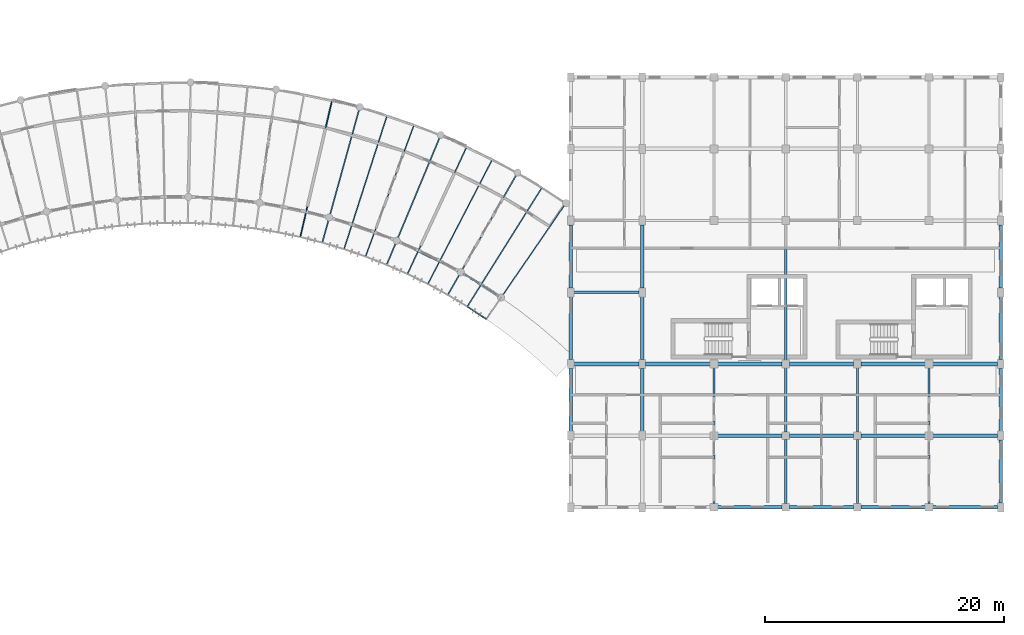
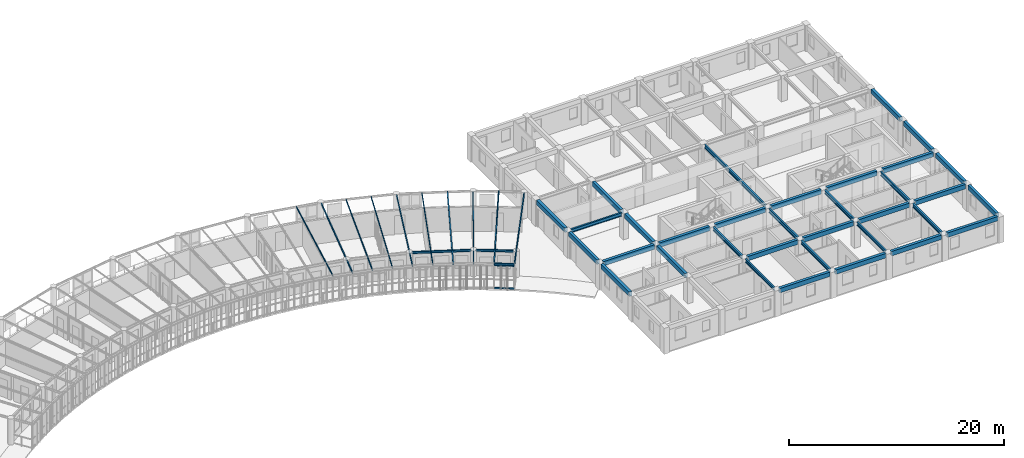
# One storey, part 39 of 100: 47 beams, 2 members.
"""IFC4 building model written with IfcOpenShell, lengths in metres."""

from ifc_helpers import new_model, si_unit, direction, frame, origin, origin_2d, place, context, subcontext, project, spatial, rectangle, hollow_rectangle, i_section, extrude, material, material_profile, profile_set, type_object, element, save


model = new_model("IFC4")

# Units and contexts
model_context = context("Model", 3, precision=1e-05, world=origin(), true_north=direction((0.0, 1.0)))
body_context = subcontext(model_context, "Body", "Model", "MODEL_VIEW")
ifc_project = project(units=[si_unit("LENGTHUNIT", "METRE"), si_unit("AREAUNIT", "SQUARE_METRE"), si_unit("VOLUMEUNIT", "CUBIC_METRE"), si_unit("PLANEANGLEUNIT", "RADIAN"), si_unit("MASSUNIT", "GRAM", prefix="KILO"), si_unit("POWERUNIT", "WATT"), si_unit("THERMODYNAMICTEMPERATUREUNIT", "KELVIN")], contexts=[model_context])

# Site, building, storey
site_placement = place(None, origin())
site = spatial("IfcSite", under=ifc_project, at=site_placement, CompositionType="ELEMENT")
building_placement = place(site_placement, origin())
building = spatial("IfcBuilding", under=site, at=building_placement, Name="Ruvembo Vaulted Housing Court", CompositionType="ELEMENT")
storey_placement = place(building_placement, frame((0.0, 0.0, 14.10009765625)))
storey = spatial("IfcBuildingStorey", under=building, at=storey_placement, Name="L04", CompositionType="ELEMENT", Elevation=14.10009765625)

# Beams
ifc_material_1 = material(Name="Steel S355J2", Category="steel")
ifc_material_profile_1 = material_profile(ifc_material_1, i_section(OverallWidth=0.08203125, OverallDepth=0.159912109375, WebThickness=0.0048828125, FlangeThickness=0.00732421875, FilletRadius=0.009033203125, at=origin_2d()), Name="IPE 160")
ifc_profile_set_1 = profile_set([ifc_material_profile_1], Name="Steel S355J2")
beam_type_1 = type_object("IfcBeamType", Name="BM-ST-IPE160", PredefinedType="JOIST", material=ifc_profile_set_1)
for number, where, z_axis, x_axis, name in (
    (1, (130.002685546875, 105.9599609375, 2.85986328125), (-0.226331039465, -0.974050440467, 0.0), (0.974050440467, -0.226331039465, 0.0), "Scoop SC3 L04 Radial Steel Joist 20"),
    (2, (136.852783203125, 103.91162109375, 2.85986328125), (-0.345551481909, -0.938399793985, 0.0), (0.938399793985, -0.345551481909, 0.0), "Scoop SC3 L04 Radial Steel Joist 23"),
):
    element("IfcBeam", number, at=place(storey_placement, frame(where, z_axis=z_axis, x_axis=x_axis)), inside=storey, type_object=beam_type_1, Name=name, PredefinedType="JOIST", context=body_context, shape_type="SweptSolid", body=[
        extrude(i_section(OverallWidth=0.08203125, OverallDepth=0.159912109375, WebThickness=0.0048828125, FlangeThickness=0.00732421875, FilletRadius=0.009033203125, at=origin_2d()), origin(), (0.0, 0.0, 1.0), 11.69091796875),
    ])
beam_1_placement = place(storey_placement, frame((143.3955078125, 101.028076171875, 2.85986328125), z_axis=(-0.459450756353, -0.888203243907, 0.0), x_axis=(0.888203243907, -0.459450756353, 0.0)))
element("IfcBeam", 3, at=beam_1_placement, inside=storey, type_object=beam_type_1, Name="Scoop SC3 L04 Radial Steel Joist 26", PredefinedType="JOIST", context=body_context, shape_type="SweptSolid", body=[
    extrude(i_section(OverallWidth=0.08203125, OverallDepth=0.159912109375, WebThickness=0.0048828125, FlangeThickness=0.00732421875, FilletRadius=0.009033203125, at=origin_2d()), origin(), (0.0, 0.0, 1.0), 11.690673828125),
])
beam_2_placement = place(storey_placement, frame((149.506103515625, 97.32080078125, 2.85986328125), z_axis=(-0.566195255681, -0.824271152258, 0.0), x_axis=(0.824271152258, -0.566195255681, 0.0)))
element("IfcBeam", 4, at=beam_2_placement, inside=storey, type_object=beam_type_1, Name="Scoop SC3 L04 Radial Steel Joist 29", PredefinedType="JOIST", context=body_context, shape_type="SweptSolid", body=[
    extrude(i_section(OverallWidth=0.08203125, OverallDepth=0.159912109375, WebThickness=0.0048828125, FlangeThickness=0.00732421875, FilletRadius=0.009033203125, at=origin_2d()), origin(), (0.0, 0.0, 1.0), 11.650146484375),
])
ifc_material_profile_2 = material_profile(ifc_material_1, i_section(OverallWidth=0.091064453125, OverallDepth=0.179931640625, WebThickness=0.00537109375, FlangeThickness=0.008056640625, FilletRadius=0.009033203125, at=origin_2d()), Name="IPE 180")
ifc_profile_set_2 = profile_set([ifc_material_profile_2], Name="Steel S355J2")
beam_type_2 = type_object("IfcBeamType", Name="BM-ST-IPE180", PredefinedType="JOIST", material=ifc_profile_set_2)
beam_3_placement = place(storey_placement, frame((134.5986328125, 104.68896484375, 2.849853515625), z_axis=(-0.306337017889, -0.951923122669, 0.0), x_axis=(0.951923122669, -0.306337017889, 0.0)))
element("IfcBeam", 5, at=beam_3_placement, inside=storey, type_object=beam_type_2, Name="Scoop SC3 L04 Radial Steel Joist 22", PredefinedType="JOIST", context=body_context, shape_type="SweptSolid", body=[
    extrude(i_section(OverallWidth=0.091064453125, OverallDepth=0.179931640625, WebThickness=0.00537109375, FlangeThickness=0.008056640625, FilletRadius=0.009033203125, at=origin_2d()), origin(), (0.0, 0.0, 1.0), 11.690673828125),
])
beam_4_placement = place(storey_placement, frame((141.255126953125, 102.07958984375, 2.849853515625), z_axis=(-0.422190259357, -0.906507244816, 0.0), x_axis=(0.906507244816, -0.422190259357, 0.0)))
element("IfcBeam", 6, at=beam_4_placement, inside=storey, type_object=beam_type_2, Name="Scoop SC3 L04 Radial Steel Joist 25", PredefinedType="JOIST", context=body_context, shape_type="SweptSolid", body=[
    extrude(i_section(OverallWidth=0.091064453125, OverallDepth=0.179931640625, WebThickness=0.00537109375, FlangeThickness=0.008056640625, FilletRadius=0.009033203125, at=origin_2d()), origin(), (0.0, 0.0, 1.0), 11.69091796875),
])
beam_5_placement = place(storey_placement, frame((147.5625, 98.70556640625, 2.849853515625), z_axis=(-0.531512135198, -0.847050677432, 0.0), x_axis=(0.847050677432, -0.531512135198, 0.0)))
element("IfcBeam", 7, at=beam_5_placement, inside=storey, type_object=beam_type_2, Name="Scoop SC3 L04 Radial Steel Joist 28", PredefinedType="JOIST", context=body_context, shape_type="SweptSolid", body=[
    extrude(i_section(OverallWidth=0.091064453125, OverallDepth=0.179931640625, WebThickness=0.00537109375, FlangeThickness=0.008056640625, FilletRadius=0.009033203125, at=origin_2d()), origin(), (0.0, 0.0, 1.0), 11.740478515625),
])
ifc_material_profile_3 = material_profile(ifc_material_1, i_section(OverallWidth=0.10009765625, OverallDepth=0.199951171875, WebThickness=0.005615234375, FlangeThickness=0.008544921875, FilletRadius=0.011962890625, at=origin_2d()), Name="IPE 200")
ifc_profile_set_3 = profile_set([ifc_material_profile_3], Name="Steel S355J2")
beam_type_3 = type_object("IfcBeamType", Name="BM-ST-IPE200", PredefinedType="BEAM", material=ifc_profile_set_3)
beam_6_placement = place(storey_placement, frame((132.302978515625, 105.3330078125, 2.83984375), z_axis=(-0.266557475959, -0.963819024512, 0.0), x_axis=(0.963819024512, -0.266557475959, 0.0)))
element("IfcBeam", 8, at=beam_6_placement, inside=storey, type_object=beam_type_3, Name="Scoop SC3 L04 Radial Steel Joist 21", PredefinedType="BEAM", context=body_context, shape_type="SweptSolid", body=[
    extrude(i_section(OverallWidth=0.10009765625, OverallDepth=0.199951171875, WebThickness=0.005615234375, FlangeThickness=0.008544921875, FilletRadius=0.011962890625, at=origin_2d()), origin(), (0.0, 0.0, 1.0), 11.650390625),
])
for number, where, z_axis, x_axis, name in (
    (9, (139.057373046875, 103.003662109375, 2.83984375), (-0.384210608163, -0.923245475795, 0.0), (0.923245475795, -0.384210608163, 0.0), "Scoop SC3 L04 Radial Steel Joist 24"),
    (10, (145.47021484375, 99.853515625, 2.83984375), (-0.495904212353, -0.868377229187, 0.0), (0.868377229187, -0.495904212353, 0.0), "Scoop SC3 L04 Radial Steel Joist 27"),
):
    element("IfcBeam", number, at=place(storey_placement, frame(where, z_axis=z_axis, x_axis=x_axis)), inside=storey, type_object=beam_type_3, Name=name, PredefinedType="BEAM", context=body_context, shape_type="SweptSolid", body=[
        extrude(i_section(OverallWidth=0.10009765625, OverallDepth=0.199951171875, WebThickness=0.005615234375, FlangeThickness=0.008544921875, FilletRadius=0.011962890625, at=origin_2d()), origin(), (0.0, 0.0, 1.0), 11.650146484375),
    ])
ifc_material_profile_4 = material_profile(ifc_material_1, i_section(OverallWidth=0.1201171875, OverallDepth=0.239990234375, WebThickness=0.006103515625, FlangeThickness=0.009765625, FilletRadius=0.014892578125, at=origin_2d()), Name="IPE 240")
ifc_profile_set_4 = profile_set([ifc_material_profile_4], Name="Steel S355J2")
beam_type_4 = type_object("IfcBeamType", Name="BM-ST-IPE240", PredefinedType="BEAM", material=ifc_profile_set_4)
beam_7_placement = place(storey_placement, frame((135.612548828125, 94.23193359375, 2.822021484375), z_axis=(0.897564932288, -0.440882288516, 0.0), x_axis=(0.440882288516, 0.897564932288, 0.0)))
element("IfcBeam", 11, at=beam_7_placement, inside=storey, type_object=beam_type_4, Name="Scoop SC3 L04 Chord Girder F24", PredefinedType="BEAM", context=body_context, shape_type="SweptSolid", body=[
    extrude(i_section(OverallWidth=0.1201171875, OverallDepth=0.239990234375, WebThickness=0.006103515625, FlangeThickness=0.009765625, FilletRadius=0.014892578125, at=origin_2d()), origin(), (0.0, 0.0, 1.0), 5.593505859375),
])
beam_8_placement = place(storey_placement, frame((140.964599609375, 91.5810546875, 2.822021484375), z_axis=(0.847053130273, -0.531508226178, 0.0), x_axis=(0.531508226178, 0.847053130273, 0.0)))
element("IfcBeam", 12, at=beam_8_placement, inside=storey, type_object=beam_type_4, Name="Scoop SC3 L04 Chord Girder F27", PredefinedType="BEAM", context=body_context, shape_type="SweptSolid", body=[
    extrude(i_section(OverallWidth=0.1201171875, OverallDepth=0.239990234375, WebThickness=0.006103515625, FlangeThickness=0.009765625, FilletRadius=0.014892578125, at=origin_2d()), origin(), (0.0, 0.0, 1.0), 3.60400390625),
])
beam_9_placement = place(storey_placement, frame((141.343505859375, 88.794677734375, 2.81982421875), z_axis=(0.835902452778, -0.548878027834, 0.0), x_axis=(0.548878027834, 0.835902452778, 0.0)))
element("IfcBeam", 13, at=beam_9_placement, inside=storey, type_object=beam_type_4, Name="Scoop SC3 L04 Balcony Edge Spandrel 28", PredefinedType="BEAM", context=body_context, shape_type="SweptSolid", body=[
    extrude(i_section(OverallWidth=0.1201171875, OverallDepth=0.239990234375, WebThickness=0.006103515625, FlangeThickness=0.009765625, FilletRadius=0.014892578125, at=origin_2d()), origin(), (0.0, 0.0, 1.0), 1.901123046875),
])
ifc_material_profile_5 = material_profile(ifc_material_1, i_section(OverallWidth=0.169921875, OverallDepth=0.360107421875, WebThickness=0.008056640625, FlangeThickness=0.0126953125, FilletRadius=0.01806640625, at=origin_2d()), Name="IPE 360")
ifc_profile_set_5 = profile_set([ifc_material_profile_5], Name="Steel S355J2")
beam_type_5 = type_object("IfcBeamType", Name="BM-ST-IPE360", PredefinedType="BEAM", material=ifc_profile_set_5)
for number, where, z_axis, x_axis, name in (
    (14, (162.0, 72.31005859375, 2.745849609375), (0.0, 1.0, 0.0), (-1.0, 0.0, 0.0), "L04 Grid Beam Y #2262"),
    (15, (174.0, 72.31005859375, 2.745849609375), (0.0, 1.0, 0.0), (-1.0, 0.0, 0.0), "L04 Grid Beam Y #2271"),
):
    element("IfcBeam", number, at=place(storey_placement, frame(where, z_axis=z_axis, x_axis=x_axis)), inside=storey, type_object=beam_type_5, Name=name, PredefinedType="BEAM", context=body_context, shape_type="SweptSolid", body=[
        extrude(i_section(OverallWidth=0.169921875, OverallDepth=0.360107421875, WebThickness=0.008056640625, FlangeThickness=0.0126953125, FilletRadius=0.01806640625, at=origin_2d()), origin(), (0.0, 0.0, 1.0), 5.3798828125),
    ])
ifc_material_profile_6 = material_profile(ifc_material_1, i_section(OverallWidth=0.179931640625, OverallDepth=0.39990234375, WebThickness=0.008544921875, FlangeThickness=0.013427734375, FilletRadius=0.02099609375, at=origin_2d()), Name="IPE 400")
ifc_profile_set_6 = profile_set([ifc_material_profile_6], Name="Steel S355J2")
beam_type_6 = type_object("IfcBeamType", Name="BM-ST-IPE400", PredefinedType="BEAM", material=ifc_profile_set_6)
beam_10_placement = place(storey_placement, frame((150.260009765625, 90.0, 2.725830078125), z_axis=(1.0, 0.0, 0.0), x_axis=(0.0, 1.0, 0.0)))
element("IfcBeam", 16, at=beam_10_placement, inside=storey, type_object=beam_type_6, Name="L04 Grid Beam X #2107", PredefinedType="BEAM", context=body_context, shape_type="SweptSolid", body=[
    extrude(i_section(OverallWidth=0.179931640625, OverallDepth=0.39990234375, WebThickness=0.008544921875, FlangeThickness=0.013427734375, FilletRadius=0.02099609375, at=origin_2d()), origin(), (0.0, 0.0, 1.0), 5.47998046875),
])
for number, where, z_axis, x_axis, name in (
    (17, (162.0, 78.31005859375, 2.725830078125), (0.0, 1.0, 0.0), (-1.0, 0.0, 0.0), "L04 Grid Beam Y #2263"),
    (18, (168.0, 72.31005859375, 2.725830078125), (0.0, 1.0, 0.0), (-1.0, 0.0, 0.0), "L04 Grid Beam Y #2266"),
):
    element("IfcBeam", number, at=place(storey_placement, frame(where, z_axis=z_axis, x_axis=x_axis)), inside=storey, type_object=beam_type_6, Name=name, PredefinedType="BEAM", context=body_context, shape_type="SweptSolid", body=[
        extrude(i_section(OverallWidth=0.179931640625, OverallDepth=0.39990234375, WebThickness=0.008544921875, FlangeThickness=0.013427734375, FilletRadius=0.02099609375, at=origin_2d()), origin(), (0.0, 0.0, 1.0), 5.3798828125),
    ])
beam_11_placement = place(storey_placement, frame((168.0, 84.31005859375, 2.725830078125), z_axis=(0.0, 1.0, 0.0), x_axis=(-1.0, 0.0, 0.0)))
element("IfcBeam", 19, at=beam_11_placement, inside=storey, type_object=beam_type_6, Name="L04 Grid Beam Y #2268", PredefinedType="BEAM", context=body_context, shape_type="SweptSolid", body=[
    extrude(i_section(OverallWidth=0.179931640625, OverallDepth=0.39990234375, WebThickness=0.008544921875, FlangeThickness=0.013427734375, FilletRadius=0.02099609375, at=origin_2d()), origin(), (0.0, 0.0, 1.0), 11.3798828125),
])
for number, where, z_axis, x_axis, name in (
    (20, (174.0, 78.31005859375, 2.725830078125), (0.0, 1.0, 0.0), (-1.0, 0.0, 0.0), "L04 Grid Beam Y #2272"),
    (21, (180.0, 72.31005859375, 2.725830078125), (0.0, 1.0, 0.0), (-1.0, 0.0, 0.0), "L04 Grid Beam Y #2275"),
):
    element("IfcBeam", number, at=place(storey_placement, frame(where, z_axis=z_axis, x_axis=x_axis)), inside=storey, type_object=beam_type_6, Name=name, PredefinedType="BEAM", context=body_context, shape_type="SweptSolid", body=[
        extrude(i_section(OverallWidth=0.179931640625, OverallDepth=0.39990234375, WebThickness=0.008544921875, FlangeThickness=0.013427734375, FilletRadius=0.02099609375, at=origin_2d()), origin(), (0.0, 0.0, 1.0), 5.3798828125),
    ])
ifc_material_profile_7 = material_profile(ifc_material_1, i_section(OverallWidth=0.18994140625, OverallDepth=0.449951171875, WebThickness=0.009521484375, FlangeThickness=0.0146484375, FilletRadius=0.02099609375, at=origin_2d()), Name="IPE 450")
ifc_profile_set_7 = profile_set([ifc_material_profile_7], Name="Steel S355J2")
beam_type_7 = type_object("IfcBeamType", Name="BM-ST-IPE450", PredefinedType="BEAM", material=ifc_profile_set_7)
for number, where, z_axis, x_axis, name in (
    (22, (168.0, 78.31005859375, 2.700927734375), (0.0, 1.0, 0.0), (-1.0, 0.0, 0.0), "L04 Grid Beam Y #2267"),
    (23, (180.0, 78.31005859375, 2.700927734375), (0.0, 1.0, 0.0), (-1.0, 0.0, 0.0), "L04 Grid Beam Y #2276"),
):
    element("IfcBeam", number, at=place(storey_placement, frame(where, z_axis=z_axis, x_axis=x_axis)), inside=storey, type_object=beam_type_7, Name=name, PredefinedType="BEAM", context=body_context, shape_type="SweptSolid", body=[
        extrude(i_section(OverallWidth=0.18994140625, OverallDepth=0.449951171875, WebThickness=0.009521484375, FlangeThickness=0.0146484375, FilletRadius=0.02099609375, at=origin_2d()), origin(), (0.0, 0.0, 1.0), 5.3798828125),
    ])

# Members
ifc_material_profile_8 = material_profile(ifc_material_1, hollow_rectangle(XDim=0.06005859375, YDim=0.1201171875, WallThickness=0.0048828125, InnerFilletRadius=0.0048828125, OuterFilletRadius=0.010009765625, at=origin_2d()), Name="RHS 120x60x5")
ifc_profile_set_8 = profile_set([ifc_material_profile_8], Name="Steel S355J2")
member_type_1 = type_object("IfcMemberType", Name="MEM-CAR-RHS120", PredefinedType="CHORD", material=ifc_profile_set_8)
member_1_placement = place(storey_placement, frame((141.343505859375, 88.794677734375, 2.642822265625), z_axis=(0.835902452778, -0.548878027834, 0.0), x_axis=(0.548878027834, 0.835902452778, 0.0)))
element("IfcMember", 24, at=member_1_placement, inside=storey, type_object=member_type_1, Name="Scoop SC3 L04 Upper Louvre Carrier Rail 28", PredefinedType="CHORD", context=body_context, shape_type="SweptSolid", body=[
    extrude(hollow_rectangle(XDim=0.06005859375, YDim=0.1201171875, WallThickness=0.0048828125, InnerFilletRadius=0.0048828125, OuterFilletRadius=0.010009765625, at=origin_2d()), origin(), (0.0, 0.0, 1.0), 1.901123046875),
])
ifc_material_profile_9 = material_profile(ifc_material_1, hollow_rectangle(XDim=0.080078125, YDim=0.14990234375, WallThickness=0.00634765625, InnerFilletRadius=0.00634765625, OuterFilletRadius=0.0126953125, at=origin_2d()), Name="RHS 150x80x6.3")
ifc_profile_set_9 = profile_set([ifc_material_profile_9], Name="Steel S355J2")
member_type_2 = type_object("IfcMemberType", Name="MEM-CAR-RHS150", PredefinedType="CHORD", material=ifc_profile_set_9)
member_2_placement = place(storey_placement, frame((141.343505859375, 88.794677734375, 0.094970703125), z_axis=(0.835902452778, -0.548878027834, 0.0), x_axis=(0.548878027834, 0.835902452778, 0.0)))
element("IfcMember", 25, at=member_2_placement, inside=storey, type_object=member_type_2, Name="Scoop SC3 L04 Lower Louvre Carrier Rail 28", PredefinedType="CHORD", context=body_context, shape_type="SweptSolid", body=[
    extrude(hollow_rectangle(XDim=0.080078125, YDim=0.14990234375, WallThickness=0.00634765625, InnerFilletRadius=0.00634765625, OuterFilletRadius=0.0126953125, at=origin_2d()), origin(), (0.0, 0.0, 1.0), 1.901123046875),
])

# Beams
ifc_material_2 = material(Name="Concrete C35/45", Category="concrete")
ifc_material_profile_10 = material_profile(ifc_material_2, rectangle(XDim=0.300048828125, YDim=0.5, at=origin_2d()), Name="RC 300x500")
ifc_profile_set_10 = profile_set([ifc_material_profile_10], Name="Concrete C35/45")
beam_type_8 = type_object("IfcBeamType", Name="SP-RC-300x500", PredefinedType="SPANDREL", material=ifc_profile_set_10)
for number, where, z_axis, x_axis, name in (
    (26, (162.31005859375, 72.0, 2.699951171875), (1.0, 0.0, 0.0), (0.0, 1.0, 0.0), "L04 Grid Beam X #2073"),
    (27, (168.31005859375, 72.0, 2.699951171875), (1.0, 0.0, 0.0), (0.0, 1.0, 0.0), "L04 Grid Beam X #2074"),
    (28, (174.31005859375, 72.0, 2.699951171875), (1.0, 0.0, 0.0), (0.0, 1.0, 0.0), "L04 Grid Beam X #2075"),
):
    element("IfcBeam", number, at=place(storey_placement, frame(where, z_axis=z_axis, x_axis=x_axis)), inside=storey, type_object=beam_type_8, Name=name, PredefinedType="SPANDREL", context=body_context, shape_type="SweptSolid", body=[
        extrude(rectangle(XDim=0.300048828125, YDim=0.5, at=origin_2d()), origin(), (0.0, 0.0, 1.0), 5.3798828125),
    ])
beam_12_placement = place(storey_placement, frame((180.31005859375, 72.0, 2.699951171875), z_axis=(1.0, 0.0, 0.0), x_axis=(0.0, 1.0, 0.0)))
element("IfcBeam", 29, at=beam_12_placement, inside=storey, type_object=beam_type_8, Name="L04 Grid Beam X #2076", PredefinedType="SPANDREL", context=body_context, shape_type="SweptSolid", body=[
    extrude(rectangle(XDim=0.300048828125, YDim=0.5, at=origin_2d()), origin(), (0.0, 0.0, 1.0), 5.429931640625),
])
for number, where, z_axis, x_axis, name in (
    (30, (162.31005859375, 78.0, 2.699951171875), (1.0, 0.0, 0.0), (0.0, 1.0, 0.0), "L04 Grid Beam X #2085"),
    (31, (168.31005859375, 78.0, 2.699951171875), (1.0, 0.0, 0.0), (0.0, 1.0, 0.0), "L04 Grid Beam X #2086"),
    (32, (174.31005859375, 78.0, 2.699951171875), (1.0, 0.0, 0.0), (0.0, 1.0, 0.0), "L04 Grid Beam X #2087"),
):
    element("IfcBeam", number, at=place(storey_placement, frame(where, z_axis=z_axis, x_axis=x_axis)), inside=storey, type_object=beam_type_8, Name=name, PredefinedType="SPANDREL", context=body_context, shape_type="SweptSolid", body=[
        extrude(rectangle(XDim=0.300048828125, YDim=0.5, at=origin_2d()), origin(), (0.0, 0.0, 1.0), 5.3798828125),
    ])
beam_13_placement = place(storey_placement, frame((180.31005859375, 78.0, 2.699951171875), z_axis=(1.0, 0.0, 0.0), x_axis=(0.0, 1.0, 0.0)))
element("IfcBeam", 33, at=beam_13_placement, inside=storey, type_object=beam_type_8, Name="L04 Grid Beam X #2088", PredefinedType="SPANDREL", context=body_context, shape_type="SweptSolid", body=[
    extrude(rectangle(XDim=0.300048828125, YDim=0.5, at=origin_2d()), origin(), (0.0, 0.0, 1.0), 5.429931640625),
])
beam_14_placement = place(storey_placement, frame((150.260009765625, 84.0, 2.699951171875), z_axis=(1.0, 0.0, 0.0), x_axis=(0.0, 1.0, 0.0)))
element("IfcBeam", 34, at=beam_14_placement, inside=storey, type_object=beam_type_8, Name="L04 Grid Beam X #2095", PredefinedType="SPANDREL", context=body_context, shape_type="SweptSolid", body=[
    extrude(rectangle(XDim=0.300048828125, YDim=0.5, at=origin_2d()), origin(), (0.0, 0.0, 1.0), 5.47998046875),
])
beam_15_placement = place(storey_placement, frame((156.260009765625, 84.0, 2.699951171875), z_axis=(1.0, 0.0, 0.0), x_axis=(0.0, 1.0, 0.0)))
element("IfcBeam", 35, at=beam_15_placement, inside=storey, type_object=beam_type_8, Name="L04 Grid Beam X #2096", PredefinedType="SPANDREL", context=body_context, shape_type="SweptSolid", body=[
    extrude(rectangle(XDim=0.300048828125, YDim=0.5, at=origin_2d()), origin(), (0.0, 0.0, 1.0), 5.429931640625),
])
for number, where, z_axis, x_axis, name in (
    (36, (162.31005859375, 84.0, 2.699951171875), (1.0, 0.0, 0.0), (0.0, 1.0, 0.0), "L04 Grid Beam X #2097"),
    (37, (168.31005859375, 84.0, 2.699951171875), (1.0, 0.0, 0.0), (0.0, 1.0, 0.0), "L04 Grid Beam X #2098"),
    (38, (174.31005859375, 84.0, 2.699951171875), (1.0, 0.0, 0.0), (0.0, 1.0, 0.0), "L04 Grid Beam X #2099"),
):
    element("IfcBeam", number, at=place(storey_placement, frame(where, z_axis=z_axis, x_axis=x_axis)), inside=storey, type_object=beam_type_8, Name=name, PredefinedType="SPANDREL", context=body_context, shape_type="SweptSolid", body=[
        extrude(rectangle(XDim=0.300048828125, YDim=0.5, at=origin_2d()), origin(), (0.0, 0.0, 1.0), 5.3798828125),
    ])
beam_16_placement = place(storey_placement, frame((180.31005859375, 84.0, 2.699951171875), z_axis=(1.0, 0.0, 0.0), x_axis=(0.0, 1.0, 0.0)))
element("IfcBeam", 39, at=beam_16_placement, inside=storey, type_object=beam_type_8, Name="L04 Grid Beam X #2100", PredefinedType="SPANDREL", context=body_context, shape_type="SweptSolid", body=[
    extrude(rectangle(XDim=0.300048828125, YDim=0.5, at=origin_2d()), origin(), (0.0, 0.0, 1.0), 5.429931640625),
])
for number, where, z_axis, x_axis, name in (
    (40, (150.0, 78.360107421875, 2.699951171875), (0.0, 1.0, 0.0), (-1.0, 0.0, 0.0), "L04 Grid Beam Y #2251"),
    (41, (150.0, 84.360107421875, 2.699951171875), (0.0, 1.0, 0.0), (-1.0, 0.0, 0.0), "L04 Grid Beam Y #2252"),
    (42, (150.0, 90.360107421875, 2.699951171875), (0.0, 1.0, 0.0), (-1.0, 0.0, 0.0), "L04 Grid Beam Y #2253"),
    (43, (156.0, 78.360107421875, 2.699951171875), (0.0, 1.0, 0.0), (-1.0, 0.0, 0.0), "L04 Grid Beam Y #2257"),
    (44, (156.0, 84.360107421875, 2.699951171875), (0.0, 1.0, 0.0), (-1.0, 0.0, 0.0), "L04 Grid Beam Y #2258"),
    (45, (156.0, 90.360107421875, 2.699951171875), (0.0, 1.0, 0.0), (-1.0, 0.0, 0.0), "L04 Grid Beam Y #2259"),
    (46, (186.0, 72.360107421875, 2.699951171875), (0.0, 1.0, 0.0), (-1.0, 0.0, 0.0), "L04 Grid Beam Y #2279"),
    (47, (186.0, 78.360107421875, 2.699951171875), (0.0, 1.0, 0.0), (-1.0, 0.0, 0.0), "L04 Grid Beam Y #2280"),
    (48, (186.0, 84.360107421875, 2.699951171875), (0.0, 1.0, 0.0), (-1.0, 0.0, 0.0), "L04 Grid Beam Y #2281"),
    (49, (186.0, 90.360107421875, 2.699951171875), (0.0, 1.0, 0.0), (-1.0, 0.0, 0.0), "L04 Grid Beam Y #2282"),
):
    element("IfcBeam", number, at=place(storey_placement, frame(where, z_axis=z_axis, x_axis=x_axis)), inside=storey, type_object=beam_type_8, Name=name, PredefinedType="SPANDREL", context=body_context, shape_type="SweptSolid", body=[
        extrude(rectangle(XDim=0.300048828125, YDim=0.5, at=origin_2d()), origin(), (0.0, 0.0, 1.0), 5.27978515625),
    ])

save(model, "model.ifc")
